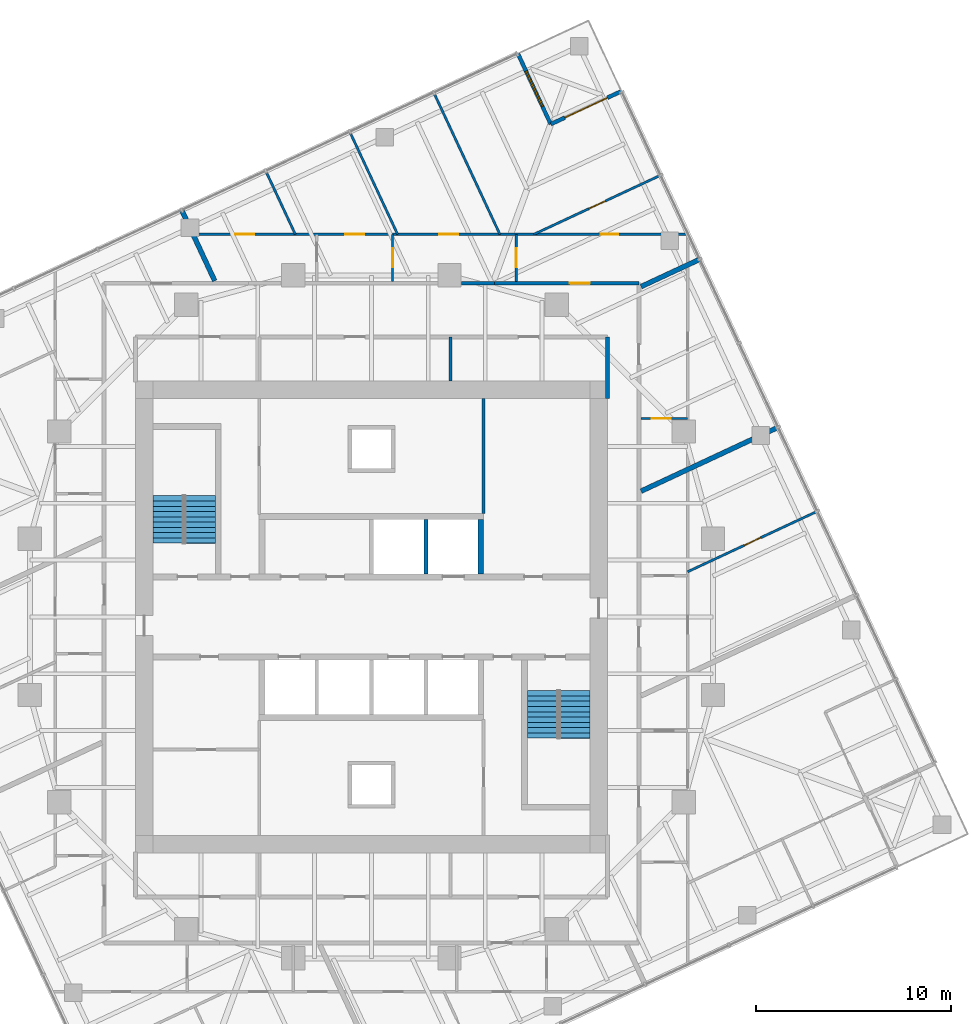
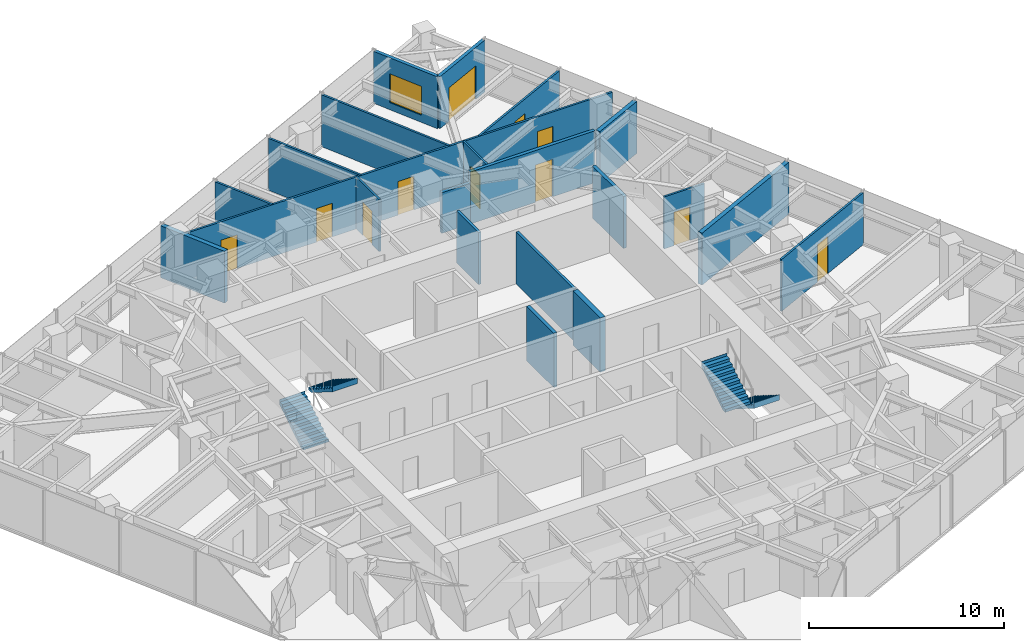
# One storey, part 11 of 12: 21 walls, 11 doors, 4 stair flights, 1 window, 12 openings, 2 elements without a shape of their own.
"""IFC4 building model written with IfcOpenShell, lengths in metres."""

from ifc_helpers import new_model, si_unit, direction, frame, frame_2d, origin, place, context, subcontext, project, spatial, polyline, rectangle, outline, extrude, material, layer, layer_set, type_object, element, fill, aggregate, save


model = new_model("IFC4")

# Units and contexts
model_context = context("Model", 3, precision=1e-05, world=origin(), true_north=direction((0.0, 1.0)))
body_context = subcontext(model_context, "Body", "Model", "MODEL_VIEW")
ifc_project = project(units=[si_unit("LENGTHUNIT", "METRE"), si_unit("AREAUNIT", "SQUARE_METRE"), si_unit("VOLUMEUNIT", "CUBIC_METRE"), si_unit("PLANEANGLEUNIT", "RADIAN"), si_unit("MASSUNIT", "GRAM", prefix="KILO")], contexts=[model_context])

# Site, building, storey
site_placement = place(None, origin())
site = spatial("IfcSite", under=ifc_project, at=site_placement, CompositionType="ELEMENT")
building_placement = place(site_placement, origin())
building = spatial("IfcBuilding", under=site, at=building_placement, Name="Torsade Residences", CompositionType="ELEMENT")
storey_placement = place(building_placement, frame((0.0, 0.0, 186.199951171875)))
storey = spatial("IfcBuildingStorey", under=building, at=storey_placement, Name="L51", CompositionType="ELEMENT", Elevation=186.199951171875)

# Wall
ifc_material_1 = material(Name="Concrete 80 MPa", Category="concrete")
ifc_layer_1 = layer(ifc_material_1, 0.300048828125)
ifc_layer_set_1 = layer_set([ifc_layer_1], Name="Concrete 80 MPa")
wall_type_1 = type_object("IfcWallType", Name="CORE INTERNAL WALL 300", PredefinedType="SHEAR", material=ifc_layer_set_1)
wall_1_placement = place(storey_placement, frame((45.60009765625, 32.199951171875, 0.0), z_axis=(0.0, 0.0, 1.0), x_axis=(0.0, 1.0, 0.0)))
element("IfcWall", 1, at=wall_1_placement, inside=storey, type_object=wall_type_1, Name="Core wall DN4 L51", PredefinedType="SHEAR", context=body_context, shape_type="SweptSolid", body=[
    extrude(rectangle(XDim=2.800048828125, YDim=0.300048828125, at=frame_2d((1.39990234375, 0.0))), origin(), (0.0, 0.0, 1.0), 3.400146484375),
])

# Wall, opening, door
ifc_material_2 = material(Name="Plasterboard on steel stud", Category="steel")
ifc_layer_2 = layer(ifc_material_2, 0.199951171875)
ifc_layer_set_2 = layer_set([ifc_layer_2], Name="Plasterboard on steel stud")
wall_type_2 = type_object("IfcWallType", Name="CORRIDOR WALL 200", PredefinedType="PARTITIONING", material=ifc_layer_set_2)
wall_2_placement = place(storey_placement, frame((53.699951171875, 47.10009765625, 0.0), z_axis=(0.0, 0.0, 1.0), x_axis=(-1.0, 0.0, 0.0)))
wall_2 = element("IfcWall", 2, at=wall_2_placement, inside=storey, type_object=wall_type_2, Name="Corridor wall L51", PredefinedType="PARTITIONING", context=body_context, shape_type="SweptSolid", body=[
    extrude(rectangle(XDim=7.3916015625, YDim=0.199951171875, at=frame_2d((3.69580078125, 0.0))), origin(), (0.0, 0.0, 1.0), 3.25),
])
opening_1_placement = place(wall_2_placement, frame((2.505859375, 0.0, 0.0)))
opening_1 = element("IfcOpeningElement", 3, at=opening_1_placement, cuts=wall_2, Name="Opening D01", PredefinedType="OPENING", context=body_context, shape_type="SweptSolid", body=[
    extrude(rectangle(XDim=1.02001953125, YDim=2.340087890625, at=frame_2d((0.510009765625, 1.169921875))), frame((0.0, 0.10986328125, 0.0), z_axis=(0.0, -1.0, 0.0), x_axis=(1.0, 0.0, 0.0)), (0.0, 0.0, 1.0), 0.219970703125),
])
ifc_material_3 = material(Name="Solid-core timber fire door", Category="wood")
door_type_1 = type_object("IfcDoorType", Name="APARTMENT ENTRY DOOR 1020x2340", OperationType="NOTDEFINED", PredefinedType="DOOR", material=ifc_material_3)
door_1_placement = place(opening_1_placement, origin())
door_1 = element("IfcDoor", 4, at=door_1_placement, inside=storey, type_object=door_type_1, Name="Door Residential corridor to Kitchen and dining", OperationType="SINGLE_SWING_LEFT", OverallHeight=2.340087890625, OverallWidth=1.02001953125, PredefinedType="DOOR", context=body_context, shape_type="SweptSolid", body=[
    extrude(rectangle(XDim=1.02001953125, YDim=2.340087890625, at=frame_2d((0.510009765625, 1.169921875))), frame((0.0, 0.02490234375, 0.0), z_axis=(0.0, -1.0, 0.0), x_axis=(1.0, 0.0, 0.0)), (0.0, 0.0, 1.0), 0.050048828125),
])
fill(opening_1, door_1)

# Walls
wall_3_placement = place(storey_placement, frame((46.308349609375, 47.10009765625, 0.0), z_axis=(0.0, 0.0, 1.0), x_axis=(-1.0, 0.0, 0.0)))
element("IfcWall", 5, at=wall_3_placement, inside=storey, type_object=wall_type_2, Name="Corridor wall L51", PredefinedType="PARTITIONING", context=body_context, shape_type="SweptSolid", body=[
    extrude(rectangle(XDim=1.683349609375, YDim=0.199951171875, at=frame_2d((0.841796875, 0.0))), origin(), (0.0, 0.0, 1.0), 2.550048828125),
])
wall_4_placement = place(storey_placement, frame((52.10009765625, 41.179931640625, 0.0), z_axis=(0.0, 0.0, 1.0), x_axis=(0.0, 1.0, 0.0)))
element("IfcWall", 6, at=wall_4_placement, inside=storey, type_object=wall_type_2, Name="Corridor wall L51", PredefinedType="PARTITIONING", context=body_context, shape_type="SweptSolid", body=[
    extrude(rectangle(XDim=3.170166015625, YDim=0.199951171875, at=frame_2d((1.5849609375, 0.0))), origin(), (0.0, 0.0, 1.0), 3.25),
])
ifc_material_4 = material(Name="Reinforced blockwork", Category="masonry")
ifc_layer_3 = layer(ifc_material_4, 0.199951171875)
ifc_layer_set_3 = layer_set([ifc_layer_3], Name="Reinforced blockwork")
wall_type_3 = type_object("IfcWallType", Name="LIFT SHAFT DIVIDING WALL 200", PredefinedType="SOLIDWALL", material=ifc_layer_set_3)
wall_5_placement = place(storey_placement, frame((42.800048828125, 32.199951171875, 0.0), z_axis=(0.0, 0.0, 1.0), x_axis=(0.0, 1.0, 0.0)))
element("IfcWall", 7, at=wall_5_placement, inside=storey, type_object=wall_type_3, Name="Core wall DN3 L51", PredefinedType="SOLIDWALL", context=body_context, shape_type="SweptSolid", body=[
    extrude(rectangle(XDim=2.800048828125, YDim=0.199951171875, at=frame_2d((1.39990234375, 0.0))), origin(), (0.0, 0.0, 1.0), 3.400146484375),
])

# Wall, opening, door
ifc_material_5 = material(Name="Plasterboard on steel stud", Category="steel")
ifc_layer_4 = layer(ifc_material_5, 0.1201171875)
ifc_layer_set_4 = layer_set([ifc_layer_4], Name="Plasterboard on steel stud")
wall_type_4 = type_object("IfcWallType", Name="PARTITION 120", PredefinedType="PARTITIONING", material=ifc_layer_set_4)
wall_6_placement = place(storey_placement, frame((56.199951171875, 32.313232421875, 0.0), z_axis=(0.0, 0.0, 1.0), x_axis=(0.906306986906, 0.422619977621, 0.0)))
wall_6 = element("IfcWall", 8, at=wall_6_placement, inside=storey, type_object=wall_type_4, Name="Partition L51", PredefinedType="PARTITIONING", context=body_context, shape_type="SweptSolid", body=[
    extrude(rectangle(XDim=7.30029296875, YDim=0.1201171875, at=frame_2d((3.650146484375, 0.0))), origin(), (0.0, 0.0, 1.0), 3.25),
])
opening_2_placement = place(wall_6_placement, frame((3.210205078125, 0.0, 0.0)))
opening_2 = element("IfcOpeningElement", 9, at=opening_2_placement, cuts=wall_6, Name="Opening D02", PredefinedType="OPENING", context=body_context, shape_type="SweptSolid", body=[
    extrude(rectangle(XDim=0.919921875, YDim=2.340087890625, at=frame_2d((0.4599609375, 1.169921875))), frame((0.0, 0.070068359375, 0.0), z_axis=(0.0, -1.0, 0.0), x_axis=(1.0, 0.0, 0.0)), (0.0, 0.0, 1.0), 0.14013671875),
])
ifc_material_6 = material(Name="Hollow-core timber door", Category="wood")
door_type_2 = type_object("IfcDoorType", Name="INTERNAL DOOR 920x2340", OperationType="NOTDEFINED", PredefinedType="DOOR", material=ifc_material_6)
door_2_placement = place(opening_2_placement, origin())
door_2 = element("IfcDoor", 10, at=door_2_placement, inside=storey, type_object=door_type_2, Name="Door Living room to Bedroom 1", OperationType="SINGLE_SWING_LEFT", OverallHeight=2.340087890625, OverallWidth=0.919921875, PredefinedType="DOOR", context=body_context, shape_type="SweptSolid", body=[
    extrude(rectangle(XDim=0.919921875, YDim=2.340087890625, at=frame_2d((0.4599609375, 1.169921875))), frame((0.0, 0.02490234375, 0.0), z_axis=(0.0, -1.0, 0.0), x_axis=(1.0, 0.0, 0.0)), (0.0, 0.0, 1.0), 0.050048828125),
])
fill(opening_2, door_2)

wall_7_placement = place(storey_placement, frame((56.199951171875, 40.166748046875, 0.0), z_axis=(0.0, 0.0, 1.0), x_axis=(-1.0, 0.0, 0.0)))
wall_7 = element("IfcWall", 11, at=wall_7_placement, inside=storey, type_object=wall_type_4, Name="Partition L51", PredefinedType="PARTITIONING", context=body_context, shape_type="SweptSolid", body=[
    extrude(rectangle(XDim=2.39990234375, YDim=0.1201171875, at=frame_2d((1.199951171875, 0.0))), origin(), (0.0, 0.0, 1.0), 3.25),
])
opening_3_placement = place(wall_7_placement, frame((0.8701171875, 0.0, 0.0)))
opening_3 = element("IfcOpeningElement", 12, at=opening_3_placement, cuts=wall_7, Name="Opening D05", PredefinedType="OPENING", context=body_context, shape_type="SweptSolid", body=[
    extrude(rectangle(XDim=0.9599609375, YDim=2.10009765625, at=frame_2d((0.47998046875, 1.050048828125))), frame((0.0, 0.070068359375, 0.0), z_axis=(0.0, -1.0, 0.0), x_axis=(1.0, 0.0, 0.0)), (0.0, 0.0, 1.0), 0.14013671875),
])
ifc_material_7 = material(Name="Hollow-core timber door in a steel cavity frame", Category="steel")
door_type_3 = type_object("IfcDoorType", Name="BATHROOM CAVITY SLIDING DOOR 960", OperationType="SLIDING_TO_LEFT", PredefinedType="DOOR", material=ifc_material_7)
door_3_placement = place(opening_3_placement, origin())
door_3 = element("IfcDoor", 13, at=door_3_placement, inside=storey, type_object=door_type_3, Name="Door Kitchen and dining to Bathroom", OperationType="SLIDING_TO_LEFT", OverallHeight=2.10009765625, OverallWidth=0.9599609375, PredefinedType="DOOR", context=body_context, shape_type="SweptSolid", body=[
    extrude(rectangle(XDim=0.9599609375, YDim=2.10009765625, at=frame_2d((0.47998046875, 1.050048828125))), frame((0.0, 0.02490234375, 0.0), z_axis=(0.0, -1.0, 0.0), x_axis=(1.0, 0.0, 0.0)), (0.0, 0.0, 1.0), 0.050048828125),
])
fill(opening_3, door_3)

wall_8_placement = place(storey_placement, frame((47.418212890625, 47.199951171875, 0.0), z_axis=(0.0, 0.0, 1.0), x_axis=(0.0, 1.0, 0.0)))
wall_8 = element("IfcWall", 14, at=wall_8_placement, inside=storey, type_object=wall_type_4, Name="Partition L51", PredefinedType="PARTITIONING", context=body_context, shape_type="SweptSolid", body=[
    extrude(rectangle(XDim=2.400146484375, YDim=0.1201171875, at=frame_2d((1.2001953125, 0.0))), origin(), (0.0, 0.0, 1.0), 3.25),
])
opening_4_placement = place(wall_8_placement, frame((0.719970703125, 0.0, 0.0)))
opening_4 = element("IfcOpeningElement", 15, at=opening_4_placement, cuts=wall_8, Name="Opening D05", PredefinedType="OPENING", context=body_context, shape_type="SweptSolid", body=[
    extrude(rectangle(XDim=0.9599609375, YDim=2.10009765625, at=frame_2d((0.47998046875, 1.050048828125))), frame((0.0, 0.070068359375, 0.0), z_axis=(0.0, -1.0, 0.0), x_axis=(1.0, 0.0, 0.0)), (0.0, 0.0, 1.0), 0.14013671875),
])
door_4_placement = place(opening_4_placement, origin())
door_4 = element("IfcDoor", 16, at=door_4_placement, inside=storey, type_object=door_type_3, Name="Door Kitchen and dining to Bathroom", OperationType="SLIDING_TO_LEFT", OverallHeight=2.10009765625, OverallWidth=0.9599609375, PredefinedType="DOOR", context=body_context, shape_type="SweptSolid", body=[
    extrude(rectangle(XDim=0.9599609375, YDim=2.10009765625, at=frame_2d((0.47998046875, 1.050048828125))), frame((0.0, 0.02490234375, 0.0), z_axis=(0.0, -1.0, 0.0), x_axis=(1.0, 0.0, 0.0)), (0.0, 0.0, 1.0), 0.050048828125),
])
fill(opening_4, door_4)

# Wall, openings, doors
wall_9_placement = place(storey_placement, frame((30.8603515625, 49.60009765625, 0.0), z_axis=(0.0, 0.0, 1.0), x_axis=(1.0, 0.0, 0.0)))
wall_9 = element("IfcWall", 17, at=wall_9_placement, inside=storey, type_object=wall_type_4, Name="Partition L51", PredefinedType="PARTITIONING", context=body_context, shape_type="SweptSolid", body=[
    extrude(rectangle(XDim=25.33349609375, YDim=0.1201171875, at=frame_2d((12.666748046875, 0.0))), origin(), (0.0, 0.0, 1.0), 3.25),
])
opening_5_placement = place(wall_9_placement, frame((20.87744140625, 0.0, 0.0)))
opening_5 = element("IfcOpeningElement", 18, at=opening_5_placement, cuts=wall_9, Name="Opening D02", PredefinedType="OPENING", context=body_context, shape_type="SweptSolid", body=[
    extrude(rectangle(XDim=0.919921875, YDim=2.340087890625, at=frame_2d((0.4599609375, 1.169921875))), frame((0.0, 0.070068359375, 0.0), z_axis=(0.0, -1.0, 0.0), x_axis=(1.0, 0.0, 0.0)), (0.0, 0.0, 1.0), 0.14013671875),
])
opening_6_placement = place(wall_9_placement, frame((12.62255859375, 0.0, 0.0)))
opening_6 = element("IfcOpeningElement", 19, at=opening_6_placement, cuts=wall_9, Name="Opening D05", PredefinedType="OPENING", context=body_context, shape_type="SweptSolid", body=[
    extrude(rectangle(XDim=0.9599609375, YDim=2.10009765625, at=frame_2d((0.47998046875, 1.050048828125))), frame((0.0, 0.070068359375, 0.0), z_axis=(0.0, -1.0, 0.0), x_axis=(1.0, 0.0, 0.0)), (0.0, 0.0, 1.0), 0.14013671875),
])
opening_7_placement = place(wall_9_placement, frame((7.80224609375, 0.0, 0.0)))
opening_7 = element("IfcOpeningElement", 20, at=opening_7_placement, cuts=wall_9, Name="Opening D05", PredefinedType="OPENING", context=body_context, shape_type="SweptSolid", body=[
    extrude(rectangle(XDim=0.9599609375, YDim=2.10009765625, at=frame_2d((0.47998046875, 1.050048828125))), frame((0.0, 0.070068359375, 0.0), z_axis=(0.0, -1.0, 0.0), x_axis=(1.0, 0.0, 0.0)), (0.0, 0.0, 1.0), 0.14013671875),
])
opening_8_placement = place(wall_9_placement, frame((2.168212890625, 0.0, 0.0)))
opening_8 = element("IfcOpeningElement", 21, at=opening_8_placement, cuts=wall_9, Name="Opening D05", PredefinedType="OPENING", context=body_context, shape_type="SweptSolid", body=[
    extrude(rectangle(XDim=0.9599609375, YDim=2.10009765625, at=frame_2d((0.47998046875, 1.050048828125))), frame((0.0, 0.070068359375, 0.0), z_axis=(0.0, -1.0, 0.0), x_axis=(1.0, 0.0, 0.0)), (0.0, 0.0, 1.0), 0.14013671875),
])
door_5_placement = place(opening_6_placement, origin())
door_5 = element("IfcDoor", 22, at=door_5_placement, inside=storey, type_object=door_type_3, Name="Door Bathroom to Bedroom 1", OperationType="SLIDING_TO_LEFT", OverallHeight=2.10009765625, OverallWidth=0.9599609375, PredefinedType="DOOR", context=body_context, shape_type="SweptSolid", body=[
    extrude(rectangle(XDim=0.9599609375, YDim=2.10009765625, at=frame_2d((0.47998046875, 1.050048828125))), frame((0.0, 0.02490234375, 0.0), z_axis=(0.0, -1.0, 0.0), x_axis=(1.0, 0.0, 0.0)), (0.0, 0.0, 1.0), 0.050048828125),
])
fill(opening_6, door_5)
door_6_placement = place(opening_7_placement, origin())
door_6 = element("IfcDoor", 23, at=door_6_placement, inside=storey, type_object=door_type_3, Name="Door Laundry to Bedroom 2", OperationType="SLIDING_TO_LEFT", OverallHeight=2.10009765625, OverallWidth=0.9599609375, PredefinedType="DOOR", context=body_context, shape_type="SweptSolid", body=[
    extrude(rectangle(XDim=0.9599609375, YDim=2.10009765625, at=frame_2d((0.47998046875, 1.050048828125))), frame((0.0, 0.02490234375, 0.0), z_axis=(0.0, -1.0, 0.0), x_axis=(1.0, 0.0, 0.0)), (0.0, 0.0, 1.0), 0.050048828125),
])
fill(opening_7, door_6)
door_7_placement = place(opening_8_placement, origin())
door_7 = element("IfcDoor", 24, at=door_7_placement, inside=storey, type_object=door_type_3, Name="Door Ensuite to Study", OperationType="SLIDING_TO_LEFT", OverallHeight=2.10009765625, OverallWidth=0.9599609375, PredefinedType="DOOR", context=body_context, shape_type="SweptSolid", body=[
    extrude(rectangle(XDim=0.9599609375, YDim=2.10009765625, at=frame_2d((0.47998046875, 1.050048828125))), frame((0.0, 0.02490234375, 0.0), z_axis=(0.0, -1.0, 0.0), x_axis=(1.0, 0.0, 0.0)), (0.0, 0.0, 1.0), 0.050048828125),
])
fill(opening_8, door_7)
door_8_placement = place(opening_5_placement, origin())
door_8 = element("IfcDoor", 25, at=door_8_placement, inside=storey, type_object=door_type_2, Name="Door Kitchen and dining to Bedroom 3", OperationType="SINGLE_SWING_LEFT", OverallHeight=2.340087890625, OverallWidth=0.919921875, PredefinedType="DOOR", context=body_context, shape_type="SweptSolid", body=[
    extrude(rectangle(XDim=0.919921875, YDim=2.340087890625, at=frame_2d((0.4599609375, 1.169921875))), frame((0.0, 0.02490234375, 0.0), z_axis=(0.0, -1.0, 0.0), x_axis=(1.0, 0.0, 0.0)), (0.0, 0.0, 1.0), 0.050048828125),
])
fill(opening_5, door_8)

# Wall, opening, door
wall_10_placement = place(storey_placement, frame((41.08154296875, 47.199951171875, 0.0), z_axis=(0.0, 0.0, 1.0), x_axis=(0.0, 1.0, 0.0)))
wall_10 = element("IfcWall", 26, at=wall_10_placement, inside=storey, type_object=wall_type_4, Name="Partition L51", PredefinedType="PARTITIONING", context=body_context, shape_type="SweptSolid", body=[
    extrude(rectangle(XDim=2.400146484375, YDim=0.1201171875, at=frame_2d((1.2001953125, 0.0))), origin(), (0.0, 0.0, 1.0), 3.25),
])
opening_9_placement = place(wall_10_placement, frame((0.719970703125, 0.0, 0.0)))
opening_9 = element("IfcOpeningElement", 27, at=opening_9_placement, cuts=wall_10, Name="Opening D05", PredefinedType="OPENING", context=body_context, shape_type="SweptSolid", body=[
    extrude(rectangle(XDim=0.9599609375, YDim=2.10009765625, at=frame_2d((0.47998046875, 1.050048828125))), frame((0.0, 0.070068359375, 0.0), z_axis=(0.0, -1.0, 0.0), x_axis=(1.0, 0.0, 0.0)), (0.0, 0.0, 1.0), 0.14013671875),
])
door_9_placement = place(opening_9_placement, origin())
door_9 = element("IfcDoor", 28, at=door_9_placement, inside=storey, type_object=door_type_3, Name="Door Bathroom to Laundry", OperationType="SLIDING_TO_LEFT", OverallHeight=2.10009765625, OverallWidth=0.9599609375, PredefinedType="DOOR", context=body_context, shape_type="SweptSolid", body=[
    extrude(rectangle(XDim=0.9599609375, YDim=2.10009765625, at=frame_2d((0.47998046875, 1.050048828125))), frame((0.0, 0.02490234375, 0.0), z_axis=(0.0, -1.0, 0.0), x_axis=(1.0, 0.0, 0.0)), (0.0, 0.0, 1.0), 0.050048828125),
])
fill(opening_9, door_9)

# Wall
wall_11_placement = place(storey_placement, frame((46.58349609375, 49.60009765625, 0.0), z_axis=(0.0, 0.0, 1.0), x_axis=(-0.422640876946, 0.90629724105, 0.0)))
element("IfcWall", 29, at=wall_11_placement, inside=storey, type_object=wall_type_4, Name="Partition L51", PredefinedType="PARTITIONING", context=body_context, shape_type="SweptSolid", body=[
    extrude(rectangle(XDim=7.978515625, YDim=0.1201171875, at=frame_2d((3.9892578125, 0.0))), origin(), (0.0, 0.0, 1.0), 3.25),
])

# Wall, opening, door
wall_12_placement = place(storey_placement, frame((54.78662109375, 52.6181640625, 0.0), z_axis=(0.0, 0.0, 1.0), x_axis=(-0.906317589158, -0.422597240388, 0.0)))
wall_12 = element("IfcWall", 30, at=wall_12_placement, inside=storey, type_object=wall_type_4, Name="Partition L51", PredefinedType="PARTITIONING", context=body_context, shape_type="SweptSolid", body=[
    extrude(rectangle(XDim=7.1416015625, YDim=0.1201171875, at=frame_2d((3.57080078125, 0.0))), origin(), (0.0, 0.0, 1.0), 3.25),
])
opening_10_placement = place(wall_12_placement, frame((3.0908203125, 0.0, 0.0)))
opening_10 = element("IfcOpeningElement", 31, at=opening_10_placement, cuts=wall_12, Name="Opening D02", PredefinedType="OPENING", context=body_context, shape_type="SweptSolid", body=[
    extrude(rectangle(XDim=0.919921875, YDim=2.340087890625, at=frame_2d((0.4599609375, 1.169921875))), frame((0.0, 0.070068359375, 0.0), z_axis=(0.0, -1.0, 0.0), x_axis=(1.0, 0.0, 0.0)), (0.0, 0.0, 1.0), 0.14013671875),
])
door_10_placement = place(opening_10_placement, origin())
door_10 = element("IfcDoor", 32, at=door_10_placement, inside=storey, type_object=door_type_2, Name="Door Bedroom 3 to Living room", OperationType="SINGLE_SWING_RIGHT", OverallHeight=2.340087890625, OverallWidth=0.919921875, PredefinedType="DOOR", context=body_context, shape_type="SweptSolid", body=[
    extrude(rectangle(XDim=0.919921875, YDim=2.340087890625, at=frame_2d((0.4599609375, 1.169921875))), frame((0.0, 0.02490234375, 0.0), z_axis=(0.0, -1.0, 0.0), x_axis=(1.0, 0.0, 0.0)), (0.0, 0.0, 1.0), 0.050048828125),
])
fill(opening_10, door_10)

# Walls
wall_13_placement = place(storey_placement, frame((41.342529296875, 49.60009765625, 0.0), z_axis=(0.0, 0.0, 1.0), x_axis=(-0.422648925879, 0.906293487483, 0.0)))
element("IfcWall", 33, at=wall_13_placement, inside=storey, type_object=wall_type_4, Name="Partition L51", PredefinedType="PARTITIONING", context=body_context, shape_type="SweptSolid", body=[
    extrude(rectangle(XDim=5.763671875, YDim=0.1201171875, at=frame_2d((2.8818359375, 0.0))), origin(), (0.0, 0.0, 1.0), 3.25),
])
wall_14_placement = place(storey_placement, frame((36.101318359375, 49.60009765625, 0.0), z_axis=(0.0, 0.0, 1.0), x_axis=(-0.42263686638, 0.906299111318, 0.0)))
element("IfcWall", 34, at=wall_14_placement, inside=storey, type_object=wall_type_4, Name="Partition L51", PredefinedType="PARTITIONING", context=body_context, shape_type="SweptSolid", body=[
    extrude(rectangle(XDim=3.548583984375, YDim=0.1201171875, at=frame_2d((1.7744140625, 0.0))), origin(), (0.0, 0.0, 1.0), 3.25),
])
ifc_material_8 = material(Name="Masonry-lined stud party wall", Category="masonry")
ifc_layer_5 = layer(ifc_material_8, 0.25)
ifc_layer_set_5 = layer_set([ifc_layer_5], Name="Masonry-lined stud party wall")
wall_type_5 = type_object("IfcWallType", Name="PARTY WALL 250", PredefinedType="PARTITIONING", material=ifc_layer_set_5)
wall_15_placement = place(storey_placement, frame((60.844970703125, 39.72021484375, 0.0), z_axis=(0.0, 0.0, 1.0), x_axis=(-0.906308569177, -0.422616584432, 0.0)))
element("IfcWall", 35, at=wall_15_placement, inside=storey, type_object=wall_type_5, Name="Party wall L51", PredefinedType="PARTITIONING", context=body_context, shape_type="SweptSolid", body=[
    extrude(rectangle(XDim=7.7548828125, YDim=0.25, at=frame_2d((3.87744140625, 0.0))), origin(), (0.0, 0.0, 1.0), 3.25),
])
wall_16_placement = place(storey_placement, frame((30.27978515625, 50.844970703125, 0.0), z_axis=(0.0, 0.0, 1.0), x_axis=(0.422605017068, -0.906313963011, 0.0)))
element("IfcWall", 36, at=wall_16_placement, inside=storey, type_object=wall_type_5, Name="Party wall L51", PredefinedType="PARTITIONING", context=body_context, shape_type="SweptSolid", body=[
    extrude(rectangle(XDim=4.00341796875, YDim=0.25, at=frame_2d((2.001708984375, 0.0))), origin(), (0.0, 0.0, 1.0), 3.25),
])
wall_17_placement = place(storey_placement, frame((56.830322265625, 48.330078125, 0.0), z_axis=(0.0, 0.0, 1.0), x_axis=(-0.906310647924, -0.422612126495, 0.0)))
element("IfcWall", 37, at=wall_17_placement, inside=storey, type_object=wall_type_5, Name="Party wall L51", PredefinedType="PARTITIONING", context=body_context, shape_type="SweptSolid", body=[
    extrude(rectangle(XDim=3.3251953125, YDim=0.25, at=frame_2d((1.66259765625, 0.0))), origin(), (0.0, 0.0, 1.0), 3.25),
])
ifc_material_9 = material(Name="Reinforced blockwork", Category="masonry")
ifc_layer_6 = layer(ifc_material_9, 0.14990234375)
ifc_layer_set_6 = layer_set([ifc_layer_6], Name="Reinforced blockwork")
wall_type_6 = type_object("IfcWallType", Name="SERVICE ROOM WALL 150", PredefinedType="SOLIDWALL", material=ifc_layer_set_6)
wall_18_placement = place(storey_placement, frame((45.75, 41.199951171875, 0.0), z_axis=(0.0, 0.0, 1.0), x_axis=(0.0, -1.0, 0.0)))
element("IfcWall", 38, at=wall_18_placement, inside=storey, type_object=wall_type_6, Name="Service room wall L51", PredefinedType="SOLIDWALL", context=body_context, shape_type="SweptSolid", body=[
    extrude(rectangle(XDim=5.89990234375, YDim=0.14990234375, at=frame_2d((2.949951171875, 0.0))), origin(), (0.0, 0.0, 1.0), 3.25),
])
wall_19_placement = place(storey_placement, frame((44.04150390625, 42.10009765625, 0.0), z_axis=(0.0, 0.0, 1.0), x_axis=(0.0, 1.0, 0.0)))
element("IfcWall", 39, at=wall_19_placement, inside=storey, type_object=wall_type_6, Name="Service room wall L51", PredefinedType="SOLIDWALL", context=body_context, shape_type="SweptSolid", body=[
    extrude(rectangle(XDim=2.25, YDim=0.14990234375, at=frame_2d((1.125, 0.0))), origin(), (0.0, 0.0, 1.0), 3.25),
])

# Wall, opening, door
ifc_material_10 = material(Name="Stone-faced precast concrete 40 MPa panel", Category="masonry")
ifc_layer_7 = layer(ifc_material_10, 0.199951171875)
ifc_layer_set_7 = layer_set([ifc_layer_7], Name="Stone-faced precast concrete 40 MPa panel")
wall_type_7 = type_object("IfcWallType", Name="TERRACE WALL 200", PredefinedType="SOLIDWALL", material=ifc_layer_set_7)
wall_20_placement = place(storey_placement, frame((52.8154296875, 56.940185546875, 0.0), z_axis=(0.0, 0.0, 1.0), x_axis=(-0.906289140828, -0.422658246362, 0.0)))
wall_20 = element("IfcWall", 40, at=wall_20_placement, inside=storey, type_object=wall_type_7, Name="Terrace wall L51 5", PredefinedType="SOLIDWALL", context=body_context, shape_type="SweptSolid", body=[
    extrude(rectangle(XDim=4.0, YDim=0.199951171875, at=frame_2d((2.0, 0.0))), origin(), (0.0, 0.0, 1.0), 3.25),
])
opening_11_placement = place(wall_20_placement, frame((0.800048828125, 0.0, 0.0)))
opening_11 = element("IfcOpeningElement", 41, at=opening_11_placement, cuts=wall_20, Name="Opening D10A", PredefinedType="OPENING", context=body_context, shape_type="SweptSolid", body=[
    extrude(rectangle(XDim=2.39990234375, YDim=2.10009765625, at=frame_2d((1.199951171875, 1.050048828125))), frame((0.0, 0.10986328125, 0.0), z_axis=(0.0, -1.0, 0.0), x_axis=(1.0, 0.0, 0.0)), (0.0, 0.0, 1.0), 0.219970703125),
])
ifc_material_11 = material(Name="Aluminium-framed glass door", Category="aluminium")
door_type_4 = type_object("IfcDoorType", Name="TERRACE SLIDING DOOR 2400x2100", OperationType="SLIDING_TO_LEFT", PredefinedType="DOOR", material=ifc_material_11)
door_11_placement = place(opening_11_placement, origin())
door_11 = element("IfcDoor", 42, at=door_11_placement, inside=storey, type_object=door_type_4, Name="Terrace door L51 5", OperationType="SLIDING_TO_LEFT", OverallHeight=2.10009765625, OverallWidth=2.39990234375, PredefinedType="DOOR", context=body_context, shape_type="SweptSolid", body=[
    extrude(rectangle(XDim=2.39990234375, YDim=2.10009765625, at=frame_2d((1.199951171875, 1.050048828125))), frame((0.0, 0.02490234375, 0.0), z_axis=(0.0, -1.0, 0.0), x_axis=(1.0, 0.0, 0.0)), (0.0, 0.0, 1.0), 0.050048828125),
])
fill(opening_11, door_11)

# Wall, opening, window
wall_21_placement = place(storey_placement, frame((49.190185546875, 55.24951171875, 0.0), z_axis=(0.0, 0.0, 1.0), x_axis=(-0.422658246362, 0.906289140828, 0.0)))
wall_21 = element("IfcWall", 43, at=wall_21_placement, inside=storey, type_object=wall_type_7, Name="Terrace wall L51 6", PredefinedType="SOLIDWALL", context=body_context, shape_type="SweptSolid", body=[
    extrude(rectangle(XDim=4.0, YDim=0.199951171875, at=frame_2d((2.0, 0.0))), origin(), (0.0, 0.0, 1.0), 3.25),
])
opening_12_placement = place(wall_21_placement, frame((1.0, 0.0, 0.449951171875)))
opening_12 = element("IfcOpeningElement", 44, at=opening_12_placement, cuts=wall_21, Name="Opening W1B", PredefinedType="OPENING", context=body_context, shape_type="SweptSolid", body=[
    extrude(rectangle(XDim=2.0, YDim=1.800048828125, at=frame_2d((1.0, 0.89990234375))), frame((0.0, 0.10986328125, 0.0), z_axis=(0.0, -1.0, 0.0), x_axis=(1.0, 0.0, 0.0)), (0.0, 0.0, 1.0), 0.219970703125),
])
ifc_material_12 = material(Name="Aluminium-framed glass window", Category="aluminium")
window_type = type_object("IfcWindowType", Name="TERRACE WINDOW 2000x1800", PartitioningType="SINGLE_PANEL", PredefinedType="WINDOW", material=ifc_material_12)
window_placement = place(opening_12_placement, origin())
window = element("IfcWindow", 45, at=window_placement, inside=storey, type_object=window_type, Name="Terrace window L51 6", OverallHeight=1.800048828125, OverallWidth=2.0, PartitioningType="SINGLE_PANEL", PredefinedType="WINDOW", context=body_context, shape_type="SweptSolid", body=[
    extrude(rectangle(XDim=2.0, YDim=1.800048828125, at=frame_2d((1.0, 0.89990234375))), frame((0.0, 0.030029296875, 0.0), z_axis=(0.0, -1.0, 0.0), x_axis=(1.0, 0.0, 0.0)), (0.0, 0.0, 1.0), 0.06005859375),
])
fill(opening_12, window)

# Stair, stair flights
ifc_material_13 = material(Name="Precast concrete 40 MPa", Category="concrete")
stair_type = type_object("IfcStairType", Name="HALF-TURN FIRE STAIR 1500x3400", PredefinedType="HALF_TURN_STAIR", material=ifc_material_13)
stair_1_placement = place(storey_placement, origin())
stair_1 = element("IfcStair", 46, at=stair_1_placement, inside=storey, type_object=stair_type, Name="Stair ST1 L51", PredefinedType="HALF_TURN_STAIR")
ifc_material_14 = material(Name="Precast concrete 40 MPa", Category="concrete")
stair_flight_type = type_object("IfcStairFlightType", Name="PRECAST STAIR FLIGHT 1500x1700", PredefinedType="STRAIGHT", material=ifc_material_14)
stair_flight_1_placement = place(storey_placement, frame((29.550048828125, 33.780029296875, 0.0), z_axis=(0.0, 0.0, 1.0), x_axis=(0.0, 1.0, 0.0)))
stair_flight_1 = element("IfcStairFlight", 47, at=stair_flight_1_placement, type_object=stair_flight_type, Name="ST1 flight 1", NumberOfRisers=10, NumberOfTreads=9, PredefinedType="STRAIGHT", RiserHeight=0.17, TreadLength=0.27, context=body_context, shape_type="SweptSolid", body=[
    extrude(outline(polyline([(0.0, 0.0), (0.0, 0.169921875), (0.27001953125, 0.169921875), (0.27001953125, 0.340087890625), (0.5400390625, 0.340087890625), (0.5400390625, 0.510009765625), (0.81005859375, 0.510009765625), (0.81005859375, 0.679931640625), (1.080078125, 0.679931640625), (1.080078125, 0.85009765625), (1.35009765625, 0.85009765625), (1.35009765625, 1.02001953125), (1.6201171875, 1.02001953125), (1.6201171875, 1.18994140625), (1.889892578125, 1.18994140625), (1.889892578125, 1.360107421875), (2.159912109375, 1.360107421875), (2.159912109375, 1.530029296875), (2.429931640625, 1.530029296875), (2.429931640625, 1.699951171875), (2.43994140625, 1.699951171875), (2.43994140625, 1.352783203125), (2.429931640625, 1.352783203125), (0.28125, 0.0), (0.0, 0.0)])), frame((0.0, 0.75, 0.0), z_axis=(0.0, -1.0, 0.0), x_axis=(1.0, 0.0, 0.0)), (0.0, 0.0, 1.0), 1.5),
])
stair_flight_2_placement = place(storey_placement, frame((31.25, 36.2099609375, 1.699951171875), z_axis=(0.0, 0.0, 1.0), x_axis=(0.0, -1.0, 0.0)))
stair_flight_2 = element("IfcStairFlight", 48, at=stair_flight_2_placement, type_object=stair_flight_type, Name="ST1 flight 2", NumberOfRisers=10, NumberOfTreads=9, PredefinedType="STRAIGHT", RiserHeight=0.17, TreadLength=0.27, context=body_context, shape_type="SweptSolid", body=[
    extrude(outline(polyline([(0.0, 0.0), (0.0, 0.169921875), (0.27001953125, 0.169921875), (0.27001953125, 0.340087890625), (0.5400390625, 0.340087890625), (0.5400390625, 0.510009765625), (0.81005859375, 0.510009765625), (0.81005859375, 0.679931640625), (1.080078125, 0.679931640625), (1.080078125, 0.85009765625), (1.35009765625, 0.85009765625), (1.35009765625, 1.02001953125), (1.6201171875, 1.02001953125), (1.6201171875, 1.18994140625), (1.889892578125, 1.18994140625), (1.889892578125, 1.360107421875), (2.159912109375, 1.360107421875), (2.159912109375, 1.530029296875), (2.429931640625, 1.530029296875), (2.429931640625, 1.699951171875), (2.43994140625, 1.699951171875), (2.43994140625, 1.352783203125), (2.429931640625, 1.352783203125), (0.28125, 0.0), (0.0, 0.0)])), frame((0.0, 0.75, 0.0), z_axis=(0.0, -1.0, 0.0), x_axis=(1.0, 0.0, 0.0)), (0.0, 0.0, 1.0), 1.5),
])
aggregate(stair_1, [stair_flight_1, stair_flight_2])

stair_2_placement = place(storey_placement, origin())
stair_2 = element("IfcStair", 49, at=stair_2_placement, inside=storey, type_object=stair_type, Name="Stair ST2 L51", PredefinedType="HALF_TURN_STAIR")
stair_flight_3_placement = place(storey_placement, frame((50.449951171875, 26.219970703125, 0.0), z_axis=(0.0, 0.0, 1.0), x_axis=(0.0, -1.0, 0.0)))
stair_flight_3 = element("IfcStairFlight", 50, at=stair_flight_3_placement, type_object=stair_flight_type, Name="ST2 flight 1", NumberOfRisers=10, NumberOfTreads=9, PredefinedType="STRAIGHT", RiserHeight=0.17, TreadLength=0.27, context=body_context, shape_type="SweptSolid", body=[
    extrude(outline(polyline([(0.0, 0.0), (0.0, 0.169921875), (0.27001953125, 0.169921875), (0.27001953125, 0.340087890625), (0.5400390625, 0.340087890625), (0.5400390625, 0.510009765625), (0.81005859375, 0.510009765625), (0.81005859375, 0.679931640625), (1.080078125, 0.679931640625), (1.080078125, 0.85009765625), (1.35009765625, 0.85009765625), (1.35009765625, 1.02001953125), (1.6201171875, 1.02001953125), (1.6201171875, 1.18994140625), (1.889892578125, 1.18994140625), (1.889892578125, 1.360107421875), (2.159912109375, 1.360107421875), (2.159912109375, 1.530029296875), (2.429931640625, 1.530029296875), (2.429931640625, 1.699951171875), (2.43994140625, 1.699951171875), (2.43994140625, 1.352783203125), (2.429931640625, 1.352783203125), (0.28125, 0.0), (0.0, 0.0)])), frame((0.0, 0.75, 0.0), z_axis=(0.0, -1.0, 0.0), x_axis=(1.0, 0.0, 0.0)), (0.0, 0.0, 1.0), 1.5),
])
stair_flight_4_placement = place(storey_placement, frame((48.75, 23.7900390625, 1.699951171875), z_axis=(0.0, 0.0, 1.0), x_axis=(0.0, 1.0, 0.0)))
stair_flight_4 = element("IfcStairFlight", 51, at=stair_flight_4_placement, type_object=stair_flight_type, Name="ST2 flight 2", NumberOfRisers=10, NumberOfTreads=9, PredefinedType="STRAIGHT", RiserHeight=0.17, TreadLength=0.27, context=body_context, shape_type="SweptSolid", body=[
    extrude(outline(polyline([(0.0, 0.0), (0.0, 0.169921875), (0.27001953125, 0.169921875), (0.27001953125, 0.340087890625), (0.5400390625, 0.340087890625), (0.5400390625, 0.510009765625), (0.81005859375, 0.510009765625), (0.81005859375, 0.679931640625), (1.080078125, 0.679931640625), (1.080078125, 0.85009765625), (1.35009765625, 0.85009765625), (1.35009765625, 1.02001953125), (1.6201171875, 1.02001953125), (1.6201171875, 1.18994140625), (1.889892578125, 1.18994140625), (1.889892578125, 1.360107421875), (2.159912109375, 1.360107421875), (2.159912109375, 1.530029296875), (2.429931640625, 1.530029296875), (2.429931640625, 1.699951171875), (2.43994140625, 1.699951171875), (2.43994140625, 1.352783203125), (2.429931640625, 1.352783203125), (0.28125, 0.0), (0.0, 0.0)])), frame((0.0, 0.75, 0.0), z_axis=(0.0, -1.0, 0.0), x_axis=(1.0, 0.0, 0.0)), (0.0, 0.0, 1.0), 1.5),
])
aggregate(stair_2, [stair_flight_3, stair_flight_4])

save(model, "model.ifc")
